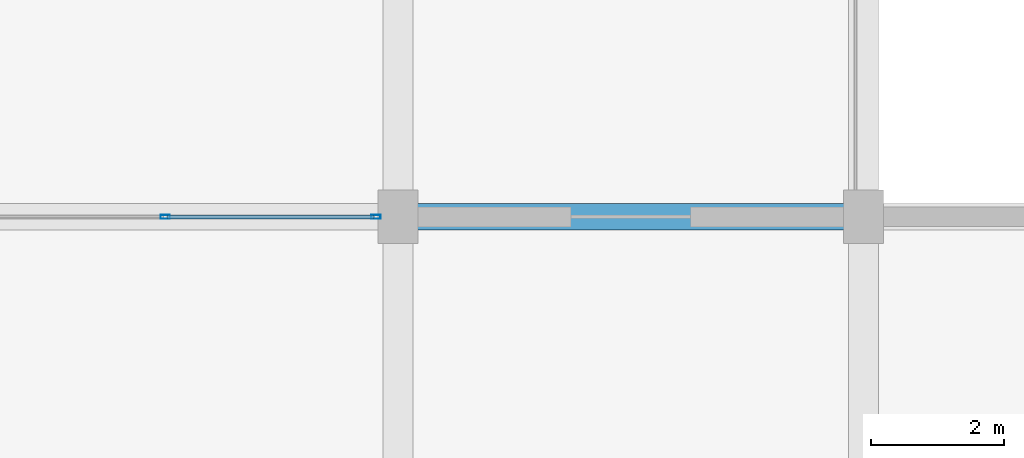
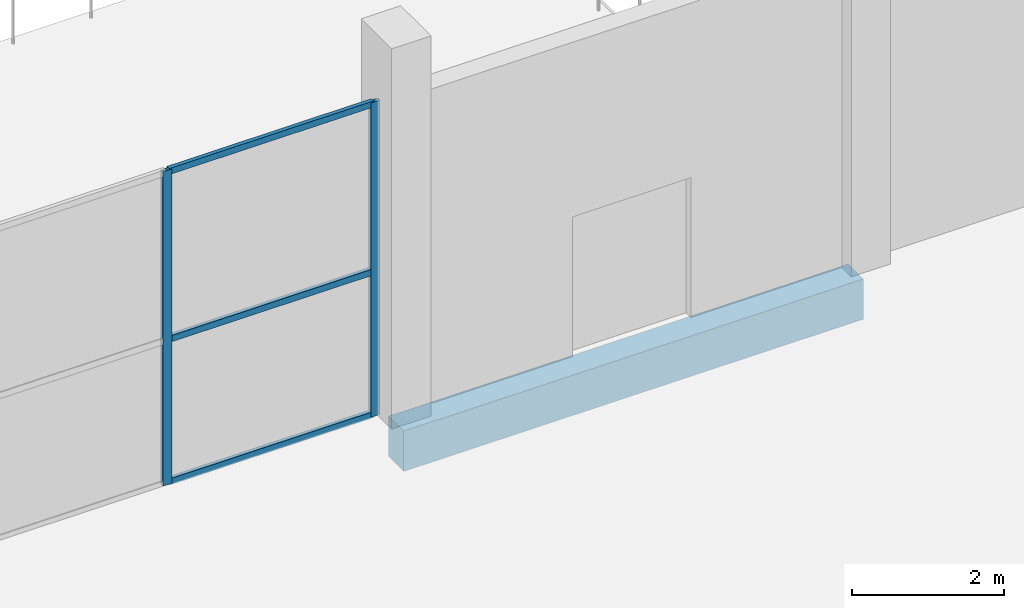
# One storey, part 29 of 58: 5 members, 1 beam, 1 element without a shape of its own.
"""IFC4 building model written with IfcOpenShell, lengths in metres."""

from ifc_helpers import new_model, si_unit, direction, frame, origin, origin_2d, place, context, subcontext, project, spatial, rectangle, hollow_rectangle, extrude, material, layer, layer_set, material_profile, profile_set, type_object, element, aggregate, save


model = new_model("IFC4")

# Units and contexts
model_context = context("Model", 3, precision=1e-05, world=origin(), true_north=direction((0.0, 1.0)))
body_context = subcontext(model_context, "Body", "Model", "MODEL_VIEW")
ifc_project = project(units=[si_unit("LENGTHUNIT", "METRE"), si_unit("AREAUNIT", "SQUARE_METRE"), si_unit("VOLUMEUNIT", "CUBIC_METRE"), si_unit("PLANEANGLEUNIT", "RADIAN"), si_unit("MASSUNIT", "GRAM", prefix="KILO")], contexts=[model_context])

# Site, building, storey
site_placement = place(None, origin())
site = spatial("IfcSite", under=ifc_project, at=site_placement, CompositionType="ELEMENT")
building_placement = place(site_placement, origin())
building = spatial("IfcBuilding", under=site, at=building_placement, Name="Sillaruma Civic Art Gallery", CompositionType="ELEMENT")
storey_placement = place(building_placement, frame((0.0, 0.0, 22.43994140625)))
storey = spatial("IfcBuildingStorey", under=building, at=storey_placement, Name="L04", CompositionType="ELEMENT", Elevation=22.43994140625)

# Beam
ifc_material_1 = material(Name="Concrete H35 (35 MPa)", Category="concrete")
ifc_material_profile_1 = material_profile(ifc_material_1, rectangle(XDim=0.39990234375, YDim=0.64990234375, at=origin_2d()), Name="RCB400x650")
ifc_profile_set_1 = profile_set([ifc_material_profile_1], Name="Concrete H35 (35 MPa)")
beam_type = type_object("IfcBeamType", Name="BM-SPANDREL-RCB400x650", PredefinedType="SPANDREL", material=ifc_profile_set_1)
beam_placement = place(storey_placement, frame((77.0, 99.0, -0.5849609375), z_axis=(1.0, 0.0, 0.0), x_axis=(0.0, 1.0, 0.0)))
element("IfcBeam", 1, at=beam_placement, inside=storey, type_object=beam_type, Name="Beam BS-02 (L03:11:H-J)", PredefinedType="SPANDREL", context=body_context, shape_type="SweptSolid", body=[
    extrude(rectangle(XDim=0.39990234375, YDim=0.64990234375, at=origin_2d()), origin(), (0.0, 0.0, 1.0), 7.0),
])

# Curtain wall, members
ifc_material_2 = material(Name="Thermally Broken Extruded Aluminium 6063-T6", Category="aluminium")
ifc_layer = layer(ifc_material_2, 0.139892578125, Name="Thermally Broken Extruded Aluminium 6063-T6")
ifc_layer_set = layer_set([ifc_layer], Name="Thermally Broken Extruded Aluminium 6063-T6")
curtain_wall_type = type_object("IfcCurtainWallType", Name="CW-UNI-26", PredefinedType="NOTDEFINED", material=ifc_layer_set)
curtain_wall_placement = place(storey_placement, origin())
curtain_wall = element("IfcCurtainWall", 2, at=curtain_wall_placement, inside=storey, type_object=curtain_wall_type, Name="Unitised Curtain Wall CW-26 (CW-L04-N-2)", PredefinedType="NOTDEFINED")
ifc_material_profile_2 = material_profile(ifc_material_2, hollow_rectangle(XDim=0.06005859375, YDim=0.139892578125, WallThickness=0.00341796875, at=origin_2d()), Name="CWM60x140")
ifc_profile_set_2 = profile_set([ifc_material_profile_2], Name="Thermally Broken Extruded Aluminium 6063-T6")
member_type_1 = type_object("IfcMemberType", Name="MEM-MUL-CWM60x140", PredefinedType="MULLION", material=ifc_profile_set_2)
member_1_placement = place(storey_placement, frame((73.5, 99.0, 0.0), z_axis=(0.0, 0.0, 1.0), x_axis=(0.0, 1.0, 0.0)))
member_1 = element("IfcMember", 3, at=member_1_placement, type_object=member_type_1, Name="CW-26 mullion 2", PredefinedType="MULLION", context=body_context, shape_type="SweptSolid", body=[
    extrude(hollow_rectangle(XDim=0.06005859375, YDim=0.139892578125, WallThickness=0.00341796875, at=origin_2d()), origin(), (0.0, 0.0, 1.0), 5.06005859375),
])
member_2_placement = place(storey_placement, frame((76.669921875, 99.0, 0.0), z_axis=(0.0, 0.0, 1.0), x_axis=(0.0, 1.0, 0.0)))
member_2 = element("IfcMember", 4, at=member_2_placement, type_object=member_type_1, Name="CW-26 mullion 3", PredefinedType="MULLION", context=body_context, shape_type="SweptSolid", body=[
    extrude(hollow_rectangle(XDim=0.06005859375, YDim=0.139892578125, WallThickness=0.00341796875, at=origin_2d()), origin(), (0.0, 0.0, 1.0), 5.06005859375),
])
ifc_material_profile_3 = material_profile(ifc_material_2, hollow_rectangle(XDim=0.06005859375, YDim=0.10009765625, WallThickness=0.003173828125, at=origin_2d()), Name="CWT60x100")
ifc_profile_set_3 = profile_set([ifc_material_profile_3], Name="Thermally Broken Extruded Aluminium 6063-T6")
member_type_2 = type_object("IfcMemberType", Name="MEM-TRN-CWT60x100", PredefinedType="USERDEFINED", material=ifc_profile_set_3)
member_3_placement = place(storey_placement, frame((73.530029296875, 99.0, 0.030029296875), z_axis=(1.0, 0.0, 0.0), x_axis=(0.0, 1.0, 0.0)))
member_3 = element("IfcMember", 5, at=member_3_placement, type_object=member_type_2, Name="CW-26 transom 2.1", ObjectType="TRANSOM", PredefinedType="USERDEFINED", context=body_context, shape_type="SweptSolid", body=[
    extrude(hollow_rectangle(XDim=0.06005859375, YDim=0.10009765625, WallThickness=0.003173828125, at=origin_2d()), origin(), (0.0, 0.0, 1.0), 3.10986328125),
])
member_4_placement = place(storey_placement, frame((73.530029296875, 99.0, 2.32763671875), z_axis=(1.0, 0.0, 0.0), x_axis=(0.0, 1.0, 0.0)))
member_4 = element("IfcMember", 6, at=member_4_placement, type_object=member_type_2, Name="CW-26 transom 2.2", ObjectType="TRANSOM", PredefinedType="USERDEFINED", context=body_context, shape_type="SweptSolid", body=[
    extrude(hollow_rectangle(XDim=0.06005859375, YDim=0.10009765625, WallThickness=0.003173828125, at=origin_2d()), origin(), (0.0, 0.0, 1.0), 3.10986328125),
])
member_5_placement = place(storey_placement, frame((73.530029296875, 99.0, 5.030029296875), z_axis=(1.0, 0.0, 0.0), x_axis=(0.0, 1.0, 0.0)))
member_5 = element("IfcMember", 7, at=member_5_placement, type_object=member_type_2, Name="CW-26 transom 2.3", ObjectType="TRANSOM", PredefinedType="USERDEFINED", context=body_context, shape_type="SweptSolid", body=[
    extrude(hollow_rectangle(XDim=0.06005859375, YDim=0.10009765625, WallThickness=0.003173828125, at=origin_2d()), origin(), (0.0, 0.0, 1.0), 3.10986328125),
])
aggregate(curtain_wall, [member_1, member_2, member_3, member_4, member_5])

save(model, "model.ifc")
